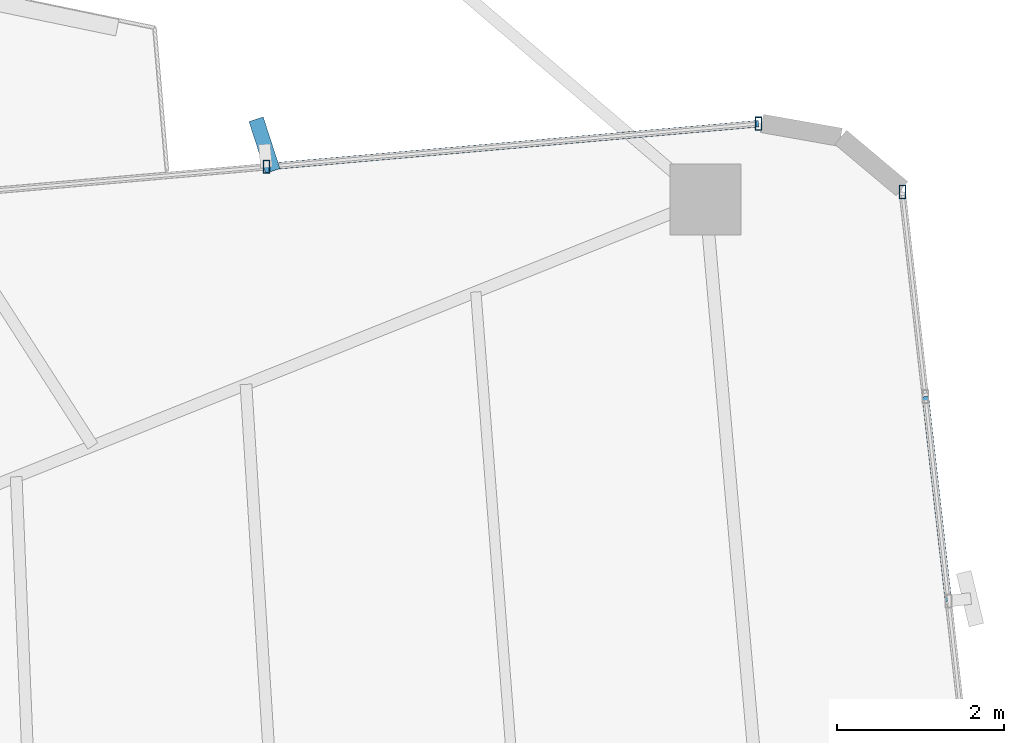
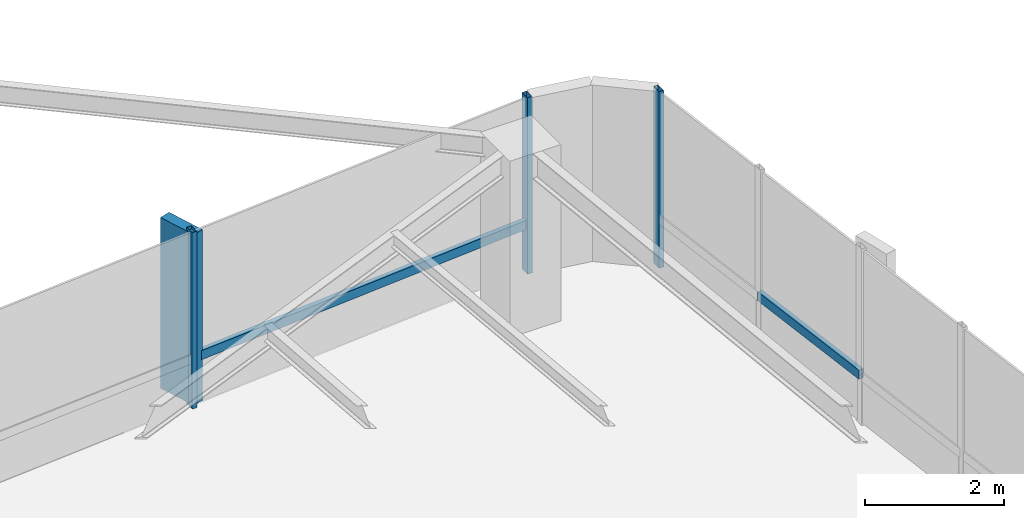
# One storey, part 15 of 24: 6 members, 2 elements without a shape of their own.
"""IFC4 building model written with IfcOpenShell, lengths in metres."""

import ifcopenshell
import ifcopenshell.guid

model = None  # the IFC model being written
_history = None  # IfcOwnerHistory: only IFC2X3 demands one
_inside = {}  # id of a spatial element -> (the spatial element, [elements in it])
_under = {}  # id of a project, library or spatial element -> (it, [spatial elements below it])
_declared = {}  # id of a project -> (the project, [libraries it declares])
_typed = {}  # id of a type object -> (the type object, [elements of that type])
_made_of = {}  # id of a material, layer set ... -> (it, [elements and type objects made of it])


def new_model(schema):
    """Start an empty IFC model of exactly this schema.

    Asked for "IFC4X3", IfcOpenShell would pick the latest addendum, in which some entities
    have other attributes; the version numbers below select the first issue.
    IFC2X3 requires an IfcOwnerHistory on every rooted entity: one is made here for all.
    """
    global model, _history
    if schema == "IFC4X3":
        model = ifcopenshell.file(schema_version=(4, 3, 0, 0))
    else:
        model = ifcopenshell.file(schema=schema)
    _inside.clear()
    _under.clear()
    _declared.clear()
    _typed.clear()
    _made_of.clear()
    _history = None
    if model.schema == "IFC2X3":
        org = make("IfcOrganization", Name="unknown")
        user = make(
            "IfcPersonAndOrganization",
            ThePerson=make("IfcPerson", FamilyName="unknown"),
            TheOrganization=org,
        )
        app = make(
            "IfcApplication",
            ApplicationDeveloper=org,
            Version="unknown",
            ApplicationFullName="unknown",
            ApplicationIdentifier="unknown",
        )
        _history = make(
            "IfcOwnerHistory",
            OwningUser=user,
            OwningApplication=app,
            ChangeAction="ADDED",
            CreationDate=0,
        )
    return model


def make(cls, **values):
    """One entity of the class cls with the attributes given. An attribute that is None is left unset."""
    return model.create_entity(
        cls, **{name: value for name, value in values.items() if value is not None}
    )


def rooted(cls, **values):
    """An entity with a GlobalId (a new one), such as an element, a storey or a relation."""
    return make(cls, GlobalId=ifcopenshell.guid.new(), OwnerHistory=_history, **values)


def si_unit(unit_type, name, prefix=None):
    """IfcSIUnit, for example si_unit("LENGTHUNIT", "METRE", prefix="MILLI")."""
    return make("IfcSIUnit", UnitType=unit_type, Prefix=prefix, Name=name)


def assignment(units):
    """IfcUnitAssignment: the units of a project."""
    return None if units is None else make("IfcUnitAssignment", Units=units)


def point(xyz):
    """IfcCartesianPoint."""
    return None if xyz is None else make("IfcCartesianPoint", Coordinates=xyz)


def direction(xyz):
    """IfcDirection."""
    return None if xyz is None else make("IfcDirection", DirectionRatios=xyz)


def frame(location, z_axis=None, x_axis=None):
    """IfcAxis2Placement3D, a coordinate frame: its origin and axes. An axis left out is left unset."""
    return make(
        "IfcAxis2Placement3D",
        Location=point(location),
        Axis=direction(z_axis),
        RefDirection=direction(x_axis),
    )


def frame_2d(location, x_axis=None):
    """IfcAxis2Placement2D, a coordinate frame in the plane: its origin and x axis."""
    return make(
        "IfcAxis2Placement2D", Location=point(location), RefDirection=direction(x_axis)
    )


def origin():
    """The frame at (0, 0, 0) with its axes left unset."""
    return frame((0.0, 0.0, 0.0))


def origin_2d():
    """The frame at (0, 0) in the plane with its x axis left unset."""
    return frame_2d((0.0, 0.0))


def place(relative_to, where):
    """IfcLocalPlacement: puts the frame where relative to a parent placement (None: the world)."""
    return make(
        "IfcLocalPlacement", PlacementRelTo=relative_to, RelativePlacement=where
    )


def context(
    kind, dimensions, precision=None, world=None, true_north=None, identifier=None
):
    """IfcGeometricRepresentationContext, for example the 3D "Model" context."""
    return make(
        "IfcGeometricRepresentationContext",
        ContextIdentifier=identifier,
        ContextType=kind,
        CoordinateSpaceDimension=dimensions,
        Precision=precision,
        WorldCoordinateSystem=world,
        TrueNorth=true_north,
    )


def subcontext(parent, identifier, kind, view, scale=None):
    """IfcGeometricRepresentationSubContext, for example "Body" below "Model"."""
    return make(
        "IfcGeometricRepresentationSubContext",
        ContextIdentifier=identifier,
        ContextType=kind,
        ParentContext=parent,
        TargetScale=scale,
        TargetView=view,
    )


def project(units=None, contexts=None):
    """IfcProject with its units and contexts."""
    return rooted(
        "IfcProject",
        Name="project",
        RepresentationContexts=contexts,
        UnitsInContext=assignment(units),
    )


def spatial(cls, under=None, at=None, **own):
    """A site, building, storey or space (cls), placed at a placement, below another one or the project."""
    s = rooted(cls, ObjectPlacement=at, **own)
    if under is not None:
        _under.setdefault(under.id(), (under, []))[1].append(s)
    return s


def profile(cls, at=None, kind="AREA", **sizes):
    """A parametric profile (cls). Its sizes go by their IFC names, for example OverallWidth=200.0."""
    return make(cls, ProfileType=kind, Position=at, **sizes)


def rectangle(**sizes):
    """IfcRectangleProfileDef."""
    return profile("IfcRectangleProfileDef", **sizes)


def hollow_rectangle(**sizes):
    """IfcRectangleHollowProfileDef."""
    return profile("IfcRectangleHollowProfileDef", **sizes)


def extrude(swept, where, along, depth):
    """IfcExtrudedAreaSolid: the profile swept, set in the frame where, extruded along a direction by depth."""
    return make(
        "IfcExtrudedAreaSolid",
        SweptArea=swept,
        Position=where,
        ExtrudedDirection=direction(along),
        Depth=depth,
    )


def shape(context_of_items, identifier, shape_type, items):
    """IfcShapeRepresentation: the items that make up one representation, for example the "Body"."""
    return make(
        "IfcShapeRepresentation",
        ContextOfItems=context_of_items,
        RepresentationIdentifier=identifier,
        RepresentationType=shape_type,
        Items=items,
    )


def source(mapping_origin, context_of_items, identifier, shape_type, items):
    """IfcRepresentationMap: a shape defined once, which mapped items show again and again."""
    return make(
        "IfcRepresentationMap",
        MappingOrigin=mapping_origin,
        MappedRepresentation=shape(context_of_items, identifier, shape_type, items),
    )


def transform(
    local_origin,
    x_axis=None,
    y_axis=None,
    z_axis=None,
    scale=None,
    scale2=None,
    scale3=None,
    uniform=True,
):
    """IfcCartesianTransformationOperator3D, or its non-uniform kind. x_axis, y_axis, z_axis: its Axis1, 2, 3."""
    if uniform:
        return make(
            "IfcCartesianTransformationOperator3D",
            Axis1=direction(x_axis),
            Axis2=direction(y_axis),
            LocalOrigin=point(local_origin),
            Scale=scale,
            Axis3=direction(z_axis),
        )
    return make(
        "IfcCartesianTransformationOperator3DnonUniform",
        Axis1=direction(x_axis),
        Axis2=direction(y_axis),
        LocalOrigin=point(local_origin),
        Scale=scale,
        Axis3=direction(z_axis),
        Scale2=scale2,
        Scale3=scale3,
    )


def mapped(mapping_source, mapping_target):
    """IfcMappedItem: shows the shape of a source again, moved by a transform."""
    return make(
        "IfcMappedItem", MappingSource=mapping_source, MappingTarget=mapping_target
    )


def material(Name=None, Category=None):
    """IfcMaterial."""
    return make("IfcMaterial", Name=Name, Category=Category)


def material_profile(
    of_material, cross_section, Name=None, Category=None, Priority=None
):
    """IfcMaterialProfile: a cross section and its material."""
    return make(
        "IfcMaterialProfile",
        Name=Name,
        Material=of_material,
        Profile=cross_section,
        Priority=Priority,
        Category=Category,
    )


def profile_set(profiles, Name=None, composite=None):
    """IfcMaterialProfileSet."""
    return make(
        "IfcMaterialProfileSet",
        Name=Name,
        MaterialProfiles=profiles,
        CompositeProfile=composite,
    )


def made_of(thing, what):
    """Note that an element or type object is made of a material, layer set ...; save() writes the relation."""
    if what is not None:
        _made_of.setdefault(what.id(), (what, []))[1].append(thing)
    return thing


def type_object(cls, material=None, **own):
    """A type object (cls), such as IfcWallType, which elements share."""
    return made_of(rooted(cls, **own), material)


def element(
    cls,
    number,
    at=None,
    inside=None,
    cuts=None,
    type_object=None,
    material=None,
    context=None,
    identifier="Body",
    shape_type=None,
    held_by="IfcProductDefinitionShape",
    body=None,
    shapes=None,
    **own,
):
    """One element of the class cls, such as IfcWall. Its Tag is "e" and its number.

    at: its placement. inside: the storey or other place that contains it. cuts: it is an
    opening in that element (IfcRelVoidsElement). A single representation is given by context,
    identifier, shape_type and body (its items); several are given by shapes. held_by: the class
    of the entity that holds the representations. save() writes the other relations.
    """
    e = rooted(cls, Tag="e%d" % number, ObjectPlacement=at, **own)
    if body is not None:
        shapes = [shape(context, identifier, shape_type, body)]
    if shapes is not None:
        e.Representation = make(held_by, Representations=shapes)
    if inside is not None:
        _inside.setdefault(inside.id(), (inside, []))[1].append(e)
    if cuts is not None:
        rooted(
            "IfcRelVoidsElement", RelatingBuildingElement=cuts, RelatedOpeningElement=e
        )
    if type_object is not None:
        _typed.setdefault(type_object.id(), (type_object, []))[1].append(e)
    return made_of(e, material)


def aggregate(whole, parts):
    """IfcRelAggregates: a whole, such as a stair, and the parts it consists of."""
    return rooted("IfcRelAggregates", RelatingObject=whole, RelatedObjects=parts)


def save(model, path):
    """Write the relations noted so far, then the file.

    IfcRelAggregates (storeys below a building ...), IfcRelContainedInSpatialStructure (elements
    in a storey), IfcRelDefinesByType, IfcRelAssociatesMaterial and IfcRelDeclares: one each for
    every whole, place, type object, material and project.
    """
    for whole, parts in _under.values():
        aggregate(whole, parts)
    for where, things in _inside.values():
        rooted(
            "IfcRelContainedInSpatialStructure",
            RelatedElements=things,
            RelatingStructure=where,
        )
    for kind, things in _typed.values():
        rooted("IfcRelDefinesByType", RelatedObjects=things, RelatingType=kind)
    for what, things in _made_of.values():
        rooted("IfcRelAssociatesMaterial", RelatedObjects=things, RelatingMaterial=what)
    for by, libraries in _declared.values():
        rooted("IfcRelDeclares", RelatingContext=by, RelatedDefinitions=libraries)
    model.write(path)


model = new_model("IFC4")

# Units and contexts
model_context = context("Model", 3, precision=1e-05, world=origin(), true_north=direction((0.0, 1.0)))
body_context = subcontext(model_context, "Body", "Model", "MODEL_VIEW")
ifc_project = project(units=[si_unit("LENGTHUNIT", "METRE"), si_unit("AREAUNIT", "SQUARE_METRE"), si_unit("VOLUMEUNIT", "CUBIC_METRE"), si_unit("PLANEANGLEUNIT", "RADIAN"), si_unit("MASSUNIT", "GRAM", prefix="KILO")], contexts=[model_context])

# Site, building, storey
site_placement = place(None, origin())
site = spatial("IfcSite", under=ifc_project, at=site_placement, CompositionType="ELEMENT")
building_placement = place(site_placement, origin())
building = spatial("IfcBuilding", under=site, at=building_placement, Name="Sahyath Konkavel Grand Hotel", CompositionType="ELEMENT")
storey_placement = place(building_placement, frame((0.0, 0.0, 185.25)))
storey = spatial("IfcBuildingStorey", under=building, at=storey_placement, Name="L51", CompositionType="ELEMENT", Elevation=185.25)

# Curtain wall, member
ifc_material_1 = material(Name="Anodised Bronze Aluminium & Low-E Glazing", Category="aluminium")
curtain_wall_type = type_object("IfcCurtainWallType", Name="CW-ZONE3", PredefinedType="NOTDEFINED", material=ifc_material_1)
curtain_wall_1_placement = place(storey_placement, origin())
curtain_wall_1 = element("IfcCurtainWall", 1, at=curtain_wall_1_placement, inside=storey, type_object=curtain_wall_type, Name="L51 Unitised Curtain Wall F7", PredefinedType="NOTDEFINED")
ifc_material_2 = material(Name="Warm Buff Sandstone Cladding on Concrete C50/60", Category="masonry")
ifc_material_profile_1 = material_profile(ifc_material_2, rectangle(XDim=0.179931640625, YDim=0.64990234375, at=origin_2d()), Name="FIN 180x650")
ifc_profile_set_1 = profile_set([ifc_material_profile_1], Name="Warm Buff Sandstone Cladding on Concrete C50/60")
member_type_1 = type_object("IfcMemberType", Name="FIN-SANDSTONE-650", PredefinedType="MULLION", material=ifc_profile_set_1)
shared_shape_1 = source(origin(), body_context, "Body", "SweptSolid", [
    extrude(rectangle(XDim=0.179931640625, YDim=0.64990234375, at=origin_2d()), origin(), (0.0, 0.0, 1.0), 3.010009765625),
])
member_1_placement = place(storey_placement, frame((11.677001953125, 7.656982421875, 0.050048828125), z_axis=(0.0, 0.0, 1.0), x_axis=(0.951272019071, 0.30835295642, 0.0)))
member_1 = element("IfcMember", 2, at=member_1_placement, type_object=member_type_1, Name="L51 Sandstone Vertical Solar Fin FIN F7-1", PredefinedType="MULLION", context=body_context, shape_type="MappedRepresentation", body=[
    mapped(shared_shape_1, transform((0.0, 0.0, 0.0), scale=1.0)),
])

curtain_wall_2_placement = place(storey_placement, origin())
curtain_wall_2 = element("IfcCurtainWall", 3, at=curtain_wall_2_placement, inside=storey, type_object=curtain_wall_type, Name="L51 Unitised Curtain Wall F4", PredefinedType="NOTDEFINED")
ifc_material_3 = material(Name="Anodised Bronze Aluminium", Category="aluminium")
ifc_material_profile_2 = material_profile(ifc_material_3, hollow_rectangle(XDim=0.080078125, YDim=0.159912109375, WallThickness=0.006103515625, at=origin_2d()), Name="RHS 160x80x6")
ifc_profile_set_2 = profile_set([ifc_material_profile_2], Name="Anodised Bronze Aluminium")
member_type_2 = type_object("IfcMemberType", Name="CW-MUL-160", PredefinedType="MULLION", material=ifc_profile_set_2)
shared_shape_2 = source(origin(), body_context, "Body", "SweptSolid", [
    extrude(hollow_rectangle(XDim=0.080078125, YDim=0.159912109375, WallThickness=0.006103515625, at=origin_2d()), origin(), (0.0, 0.0, 1.0), 3.110107421875),
])
member_2_placement = place(storey_placement, frame((19.308349609375, 7.094970703125, 0.0), z_axis=(0.0, 0.0, 1.0), x_axis=(1.0, 0.0, 0.0)))
member_2 = element("IfcMember", 4, at=member_2_placement, type_object=member_type_2, Name="L51 Curtain Wall Mullion F4-4", PredefinedType="MULLION", context=body_context, shape_type="MappedRepresentation", body=[
    mapped(shared_shape_2, transform((0.0, 0.0, 0.0), scale=1.0)),
])

# Member
member_3_placement = place(storey_placement, frame((17.58740234375, 7.912841796875, 0.0), z_axis=(0.0, 0.0, 1.0), x_axis=(1.0, 0.0, 0.0)))
member_3 = element("IfcMember", 5, at=member_3_placement, type_object=member_type_2, Name="L51 Curtain Wall Mullion F7-0", PredefinedType="MULLION", context=body_context, shape_type="MappedRepresentation", body=[
    mapped(shared_shape_2, transform((0.0, 0.0, 0.0), scale=1.0)),
])

member_4_placement = place(storey_placement, frame((11.69970703125, 7.39794921875, 0.0), z_axis=(0.0, 0.0, 1.0), x_axis=(1.0, 0.0, 0.0)))
member_4 = element("IfcMember", 6, at=member_4_placement, type_object=member_type_2, Name="L51 Curtain Wall Mullion F7-1", PredefinedType="MULLION", context=body_context, shape_type="MappedRepresentation", body=[
    mapped(shared_shape_2, transform((0.0, 0.0, 0.0), scale=1.0)),
])

ifc_material_profile_3 = material_profile(ifc_material_3, hollow_rectangle(XDim=0.080078125, YDim=0.159912109375, WallThickness=0.006103515625, at=origin_2d()), Name="RHS 160x80x6")
ifc_profile_set_3 = profile_set([ifc_material_profile_3], Name="Anodised Bronze Aluminium")
member_type_3 = type_object("IfcMemberType", Name="CW-TRN-160", PredefinedType="USERDEFINED", material=ifc_profile_set_3)
shared_shape_3 = source(origin(), body_context, "Body", "SweptSolid", [
    extrude(hollow_rectangle(XDim=0.080078125, YDim=0.159912109375, WallThickness=0.006103515625, at=origin_2d()), origin(), (0.0, 0.0, 1.0), 2.461669921875),
])
member_5_placement = place(storey_placement, frame((19.859619140625, 2.201904296875, 0.85009765625), z_axis=(-0.111966154832, 0.993712020744, 0.0), x_axis=(-0.993712020744, -0.111966154832, 0.0)))
member_5 = element("IfcMember", 7, at=member_5_placement, type_object=member_type_3, Name="L51 Curtain Wall Transom F4-2-spandrel", ObjectType="TRANSOM", PredefinedType="USERDEFINED", context=body_context, shape_type="MappedRepresentation", body=[
    mapped(shared_shape_3, transform((0.0, 0.0, 0.0), scale=1.0)),
])

aggregate(curtain_wall_2, [member_2, member_5])

shared_shape_4 = source(origin(), body_context, "Body", "SweptSolid", [
    extrude(hollow_rectangle(XDim=0.080078125, YDim=0.159912109375, WallThickness=0.006103515625, at=origin_2d()), origin(), (0.0, 0.0, 1.0), 5.91015625),
])
member_6_placement = place(storey_placement, frame((17.58740234375, 7.912841796875, 0.85009765625), z_axis=(-0.996197841474, -0.087119806256, 0.0), x_axis=(0.087119806256, -0.996197841474, 0.0)))
member_6 = element("IfcMember", 8, at=member_6_placement, type_object=member_type_3, Name="L51 Curtain Wall Transom F7-0-spandrel", ObjectType="TRANSOM", PredefinedType="USERDEFINED", context=body_context, shape_type="MappedRepresentation", body=[
    mapped(shared_shape_4, transform((0.0, 0.0, 0.0), scale=1.0)),
])

aggregate(curtain_wall_1, [member_3, member_4, member_1, member_6])

save(model, "model.ifc")
